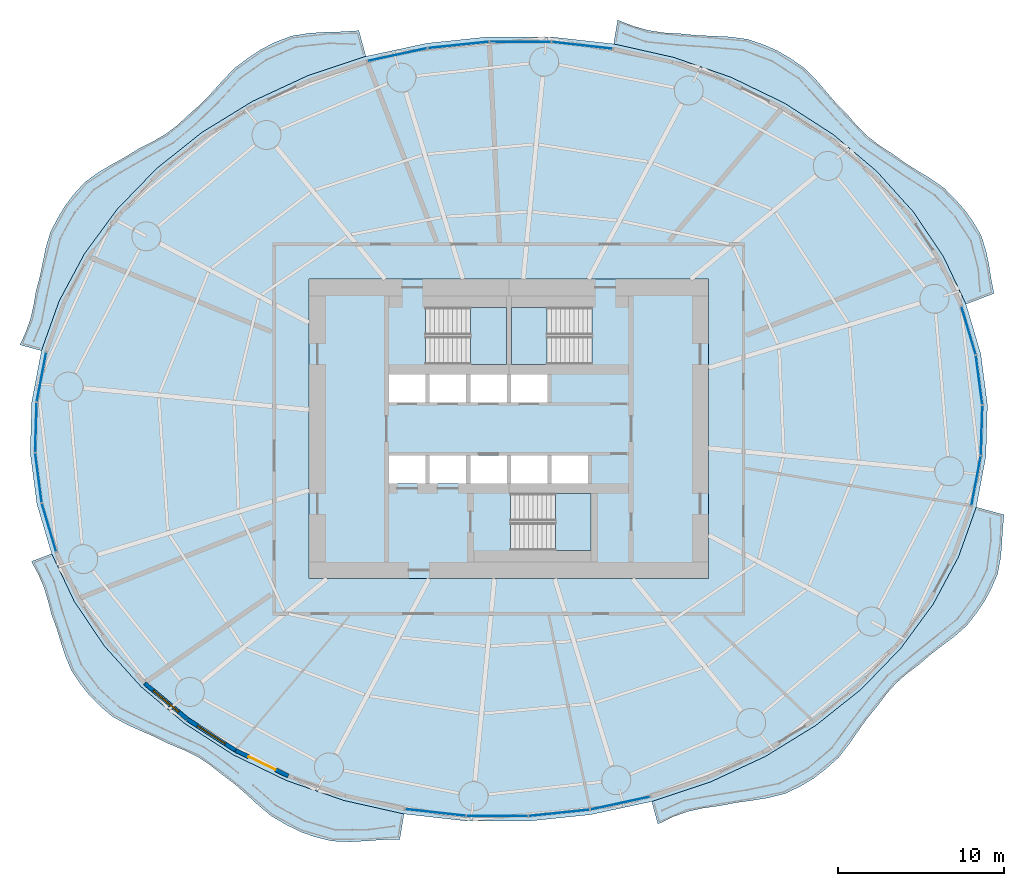
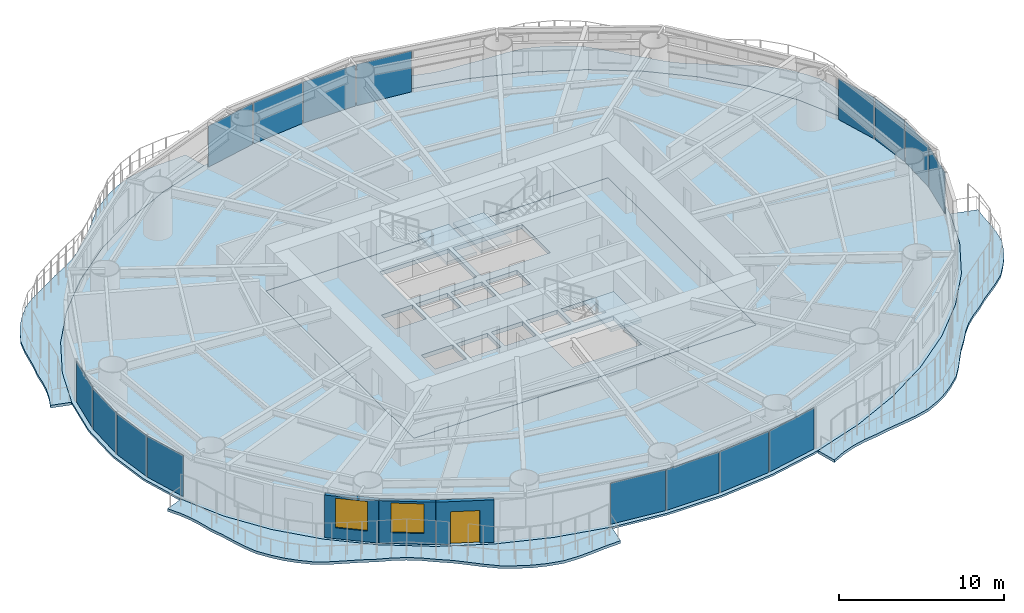
# One storey, part 7 of 16: 16 plates, 9 slabs, 3 walls, 2 windows, 1 door, 3 openings, 19 elements without a shape of their own.
"""IFC4 building model written with IfcOpenShell, lengths in metres."""

import ifcopenshell
import ifcopenshell.guid

model = None  # the IFC model being written
_history = None  # IfcOwnerHistory: only IFC2X3 demands one
_inside = {}  # id of a spatial element -> (the spatial element, [elements in it])
_under = {}  # id of a project, library or spatial element -> (it, [spatial elements below it])
_declared = {}  # id of a project -> (the project, [libraries it declares])
_typed = {}  # id of a type object -> (the type object, [elements of that type])
_made_of = {}  # id of a material, layer set ... -> (it, [elements and type objects made of it])


def new_model(schema):
    """Start an empty IFC model of exactly this schema.

    Asked for "IFC4X3", IfcOpenShell would pick the latest addendum, in which some entities
    have other attributes; the version numbers below select the first issue.
    IFC2X3 requires an IfcOwnerHistory on every rooted entity: one is made here for all.
    """
    global model, _history
    if schema == "IFC4X3":
        model = ifcopenshell.file(schema_version=(4, 3, 0, 0))
    else:
        model = ifcopenshell.file(schema=schema)
    _inside.clear()
    _under.clear()
    _declared.clear()
    _typed.clear()
    _made_of.clear()
    _history = None
    if model.schema == "IFC2X3":
        org = make("IfcOrganization", Name="unknown")
        user = make(
            "IfcPersonAndOrganization",
            ThePerson=make("IfcPerson", FamilyName="unknown"),
            TheOrganization=org,
        )
        app = make(
            "IfcApplication",
            ApplicationDeveloper=org,
            Version="unknown",
            ApplicationFullName="unknown",
            ApplicationIdentifier="unknown",
        )
        _history = make(
            "IfcOwnerHistory",
            OwningUser=user,
            OwningApplication=app,
            ChangeAction="ADDED",
            CreationDate=0,
        )
    return model


def make(cls, **values):
    """One entity of the class cls with the attributes given. An attribute that is None is left unset."""
    return model.create_entity(
        cls, **{name: value for name, value in values.items() if value is not None}
    )


def rooted(cls, **values):
    """An entity with a GlobalId (a new one), such as an element, a storey or a relation."""
    return make(cls, GlobalId=ifcopenshell.guid.new(), OwnerHistory=_history, **values)


def si_unit(unit_type, name, prefix=None):
    """IfcSIUnit, for example si_unit("LENGTHUNIT", "METRE", prefix="MILLI")."""
    return make("IfcSIUnit", UnitType=unit_type, Prefix=prefix, Name=name)


def assignment(units):
    """IfcUnitAssignment: the units of a project."""
    return None if units is None else make("IfcUnitAssignment", Units=units)


def point(xyz):
    """IfcCartesianPoint."""
    return None if xyz is None else make("IfcCartesianPoint", Coordinates=xyz)


def direction(xyz):
    """IfcDirection."""
    return None if xyz is None else make("IfcDirection", DirectionRatios=xyz)


def frame(location, z_axis=None, x_axis=None):
    """IfcAxis2Placement3D, a coordinate frame: its origin and axes. An axis left out is left unset."""
    return make(
        "IfcAxis2Placement3D",
        Location=point(location),
        Axis=direction(z_axis),
        RefDirection=direction(x_axis),
    )


def frame_2d(location, x_axis=None):
    """IfcAxis2Placement2D, a coordinate frame in the plane: its origin and x axis."""
    return make(
        "IfcAxis2Placement2D", Location=point(location), RefDirection=direction(x_axis)
    )


def origin():
    """The frame at (0, 0, 0) with its axes left unset."""
    return frame((0.0, 0.0, 0.0))


def origin_2d():
    """The frame at (0, 0) in the plane with its x axis left unset."""
    return frame_2d((0.0, 0.0))


def place(relative_to, where):
    """IfcLocalPlacement: puts the frame where relative to a parent placement (None: the world)."""
    return make(
        "IfcLocalPlacement", PlacementRelTo=relative_to, RelativePlacement=where
    )


def context(
    kind, dimensions, precision=None, world=None, true_north=None, identifier=None
):
    """IfcGeometricRepresentationContext, for example the 3D "Model" context."""
    return make(
        "IfcGeometricRepresentationContext",
        ContextIdentifier=identifier,
        ContextType=kind,
        CoordinateSpaceDimension=dimensions,
        Precision=precision,
        WorldCoordinateSystem=world,
        TrueNorth=true_north,
    )


def subcontext(parent, identifier, kind, view, scale=None):
    """IfcGeometricRepresentationSubContext, for example "Body" below "Model"."""
    return make(
        "IfcGeometricRepresentationSubContext",
        ContextIdentifier=identifier,
        ContextType=kind,
        ParentContext=parent,
        TargetScale=scale,
        TargetView=view,
    )


def project(units=None, contexts=None):
    """IfcProject with its units and contexts."""
    return rooted(
        "IfcProject",
        Name="project",
        RepresentationContexts=contexts,
        UnitsInContext=assignment(units),
    )


def spatial(cls, under=None, at=None, **own):
    """A site, building, storey or space (cls), placed at a placement, below another one or the project."""
    s = rooted(cls, ObjectPlacement=at, **own)
    if under is not None:
        _under.setdefault(under.id(), (under, []))[1].append(s)
    return s


def polyline(points):
    """IfcPolyline through the points."""
    return make("IfcPolyline", Points=[point(p) for p in points])


def profile(cls, at=None, kind="AREA", **sizes):
    """A parametric profile (cls). Its sizes go by their IFC names, for example OverallWidth=200.0."""
    return make(cls, ProfileType=kind, Position=at, **sizes)


def rectangle(**sizes):
    """IfcRectangleProfileDef."""
    return profile("IfcRectangleProfileDef", **sizes)


def outline(outer, holes=None, kind="AREA"):
    """IfcArbitraryClosedProfileDef: a profile drawn as a closed curve; with holes, ...WithVoids."""
    if holes is None:
        return make("IfcArbitraryClosedProfileDef", ProfileType=kind, OuterCurve=outer)
    return make(
        "IfcArbitraryProfileDefWithVoids",
        ProfileType=kind,
        OuterCurve=outer,
        InnerCurves=holes,
    )


def extrude(swept, where, along, depth):
    """IfcExtrudedAreaSolid: the profile swept, set in the frame where, extruded along a direction by depth."""
    return make(
        "IfcExtrudedAreaSolid",
        SweptArea=swept,
        Position=where,
        ExtrudedDirection=direction(along),
        Depth=depth,
    )


def shape(context_of_items, identifier, shape_type, items):
    """IfcShapeRepresentation: the items that make up one representation, for example the "Body"."""
    return make(
        "IfcShapeRepresentation",
        ContextOfItems=context_of_items,
        RepresentationIdentifier=identifier,
        RepresentationType=shape_type,
        Items=items,
    )


def material(Name=None, Category=None):
    """IfcMaterial."""
    return make("IfcMaterial", Name=Name, Category=Category)


def layer(
    of_material, thickness, ventilated=None, Name=None, Category=None, Priority=None
):
    """IfcMaterialLayer: one layer of a wall or slab, of a material (None: an air gap)."""
    return make(
        "IfcMaterialLayer",
        Material=of_material,
        LayerThickness=thickness,
        IsVentilated=ventilated,
        Name=Name,
        Category=Category,
        Priority=Priority,
    )


def layer_set(layers, Name=None):
    """IfcMaterialLayerSet."""
    return make("IfcMaterialLayerSet", MaterialLayers=layers, LayerSetName=Name)


def made_of(thing, what):
    """Note that an element or type object is made of a material, layer set ...; save() writes the relation."""
    if what is not None:
        _made_of.setdefault(what.id(), (what, []))[1].append(thing)
    return thing


def type_object(cls, material=None, **own):
    """A type object (cls), such as IfcWallType, which elements share."""
    return made_of(rooted(cls, **own), material)


def element(
    cls,
    number,
    at=None,
    inside=None,
    cuts=None,
    type_object=None,
    material=None,
    context=None,
    identifier="Body",
    shape_type=None,
    held_by="IfcProductDefinitionShape",
    body=None,
    shapes=None,
    **own,
):
    """One element of the class cls, such as IfcWall. Its Tag is "e" and its number.

    at: its placement. inside: the storey or other place that contains it. cuts: it is an
    opening in that element (IfcRelVoidsElement). A single representation is given by context,
    identifier, shape_type and body (its items); several are given by shapes. held_by: the class
    of the entity that holds the representations. save() writes the other relations.
    """
    e = rooted(cls, Tag="e%d" % number, ObjectPlacement=at, **own)
    if body is not None:
        shapes = [shape(context, identifier, shape_type, body)]
    if shapes is not None:
        e.Representation = make(held_by, Representations=shapes)
    if inside is not None:
        _inside.setdefault(inside.id(), (inside, []))[1].append(e)
    if cuts is not None:
        rooted(
            "IfcRelVoidsElement", RelatingBuildingElement=cuts, RelatedOpeningElement=e
        )
    if type_object is not None:
        _typed.setdefault(type_object.id(), (type_object, []))[1].append(e)
    return made_of(e, material)


def fill(opening, filler):
    """IfcRelFillsElement: the door or window that sits in an opening."""
    return rooted(
        "IfcRelFillsElement",
        RelatingOpeningElement=opening,
        RelatedBuildingElement=filler,
    )


def aggregate(whole, parts):
    """IfcRelAggregates: a whole, such as a stair, and the parts it consists of."""
    return rooted("IfcRelAggregates", RelatingObject=whole, RelatedObjects=parts)


def save(model, path):
    """Write the relations noted so far, then the file.

    IfcRelAggregates (storeys below a building ...), IfcRelContainedInSpatialStructure (elements
    in a storey), IfcRelDefinesByType, IfcRelAssociatesMaterial and IfcRelDeclares: one each for
    every whole, place, type object, material and project.
    """
    for whole, parts in _under.values():
        aggregate(whole, parts)
    for where, things in _inside.values():
        rooted(
            "IfcRelContainedInSpatialStructure",
            RelatedElements=things,
            RelatingStructure=where,
        )
    for kind, things in _typed.values():
        rooted("IfcRelDefinesByType", RelatedObjects=things, RelatingType=kind)
    for what, things in _made_of.values():
        rooted("IfcRelAssociatesMaterial", RelatedObjects=things, RelatingMaterial=what)
    for by, libraries in _declared.values():
        rooted("IfcRelDeclares", RelatingContext=by, RelatedDefinitions=libraries)
    model.write(path)


model = new_model("IFC4")

# Units and contexts
model_context = context("Model", 3, precision=1e-05, world=origin(), true_north=direction((0.0, 1.0)))
body_context = subcontext(model_context, "Body", "Model", "MODEL_VIEW")
ifc_project = project(units=[si_unit("LENGTHUNIT", "METRE"), si_unit("AREAUNIT", "SQUARE_METRE"), si_unit("VOLUMEUNIT", "CUBIC_METRE"), si_unit("PLANEANGLEUNIT", "RADIAN"), si_unit("MASSUNIT", "GRAM", prefix="KILO")], contexts=[model_context])

# Site, building, storey
site_placement = place(None, origin())
site = spatial("IfcSite", under=ifc_project, at=site_placement, CompositionType="ELEMENT")
building_placement = place(site_placement, origin())
building = spatial("IfcBuilding", under=site, at=building_placement, Name="Vermilion Reach Broadcast Tower", CompositionType="ELEMENT")
storey_placement = place(building_placement, frame((0.0, 0.0, 47.10009765625)))
storey = spatial("IfcBuildingStorey", under=building, at=storey_placement, Name="L08", CompositionType="ELEMENT", Elevation=47.10009765625)

# Slabs
ifc_material_1 = material(Name="Concrete C40/50", Category="concrete")
ifc_layer_1 = layer(ifc_material_1, 0.199951171875)
ifc_layer_set_1 = layer_set([ifc_layer_1], Name="Balcony slab 200")
slab_type_1 = type_object("IfcSlabType", Name="Balcony slab 200", PredefinedType="FLOOR", material=ifc_layer_set_1)
placement_1 = place(storey_placement, frame((0.0, 0.0, -0.2001953125)))
element("IfcSlab", 1, at=placement_1, inside=storey, type_object=slab_type_1, Name="Balcony slab L08 group 1", PredefinedType="FLOOR", context=body_context, shape_type="SweptSolid", body=[
    extrude(outline(polyline([(21.4716796875, 7.496826171875), (20.11572265625, 10.35498046875), (18.312744140625, 13.035888671875), (16.093994140625, 15.493896484375), (13.4970703125, 17.686767578125), (10.56640625, 19.576904296875), (7.3525390625, 21.132080078125), (3.91015625, 22.32568359375), (0.298095703125, 23.137451171875), (0.538818359375, 24.572998046875), (1.486083984375, 24.202392578125), (2.378173828125, 23.951416015625), (3.295166015625, 23.810302734375), (4.31591796875, 23.750732421875), (5.3330078125, 23.649169921875), (6.283203125, 23.609130859375), (7.2314453125, 23.5634765625), (8.301025390625, 23.4248046875), (9.2939453125, 23.094970703125), (10.11328125, 22.73876953125), (10.886962890625, 22.288330078125), (11.752685546875, 21.688720703125), (12.486572265625, 20.9453125), (13.07763671875, 20.253173828125), (13.670166015625, 19.563720703125), (14.36279296875, 18.85693359375), (14.989990234375, 18.137939453125), (15.602294921875, 17.545654296875), (16.275634765625, 17.026123046875), (17.08056640625, 16.513671875), (17.84375, 15.958251953125), (18.5751953125, 15.503173828125), (19.31640625, 15.05712890625), (20.15478515625, 14.474853515625), (20.846923828125, 13.7666015625), (21.38916015625, 13.157958984375), (21.86279296875, 12.503173828125), (22.373291015625, 11.64013671875), (22.674560546875, 10.693603515625), (22.839111328125, 9.896484375), (22.97021484375, 9.083251953125), (23.152099609375, 8.14013671875), (21.4716796875, 7.496826171875)])), origin(), (0.0, 0.0, 1.0), 0.2001953125),
])
element("IfcSlab", 2, at=placement_1, inside=storey, type_object=slab_type_1, Name="Balcony slab L08 group 2", PredefinedType="FLOOR", context=body_context, shape_type="SweptSolid", body=[
    extrude(outline(polyline([(-14.58837890625, 22.388427734375), (-18.1005859375, 21.218505859375), (-21.406005859375, 19.685302734375), (-24.447509765625, 17.8154296875), (-27.173583984375, 15.640625), (-29.537353515625, 13.1982421875), (-31.498291015625, 10.530029296875), (-33.02294921875, 7.681640625), (-34.08544921875, 4.701904296875), (-35.373779296875, 5.0517578125), (-35.003662109375, 5.868896484375), (-34.745361328125, 6.616455078125), (-34.56298828125, 7.39111328125), (-34.4091796875, 8.295654296875), (-34.16455078125, 9.208740234375), (-33.997314453125, 10.035400390625), (-33.828125, 10.861083984375), (-33.549072265625, 11.8232421875), (-33.08056640625, 12.72021484375), (-32.6494140625, 13.4306640625), (-32.14599609375, 14.088134765625), (-31.470458984375, 14.831298828125), (-30.628662109375, 15.43701171875), (-29.867431640625, 15.8828125), (-29.09130859375, 16.31396484375), (-28.25341796875, 16.8291015625), (-27.3662109375, 17.280029296875), (-26.6083984375, 17.72802734375), (-25.910400390625, 18.2509765625), (-25.211181640625, 18.902587890625), (-24.46923828125, 19.554931640625), (-23.832275390625, 20.22314453125), (-23.21240234375, 20.91943359375), (-22.4765625, 21.67919921875), (-21.622314453125, 22.316650390625), (-20.853515625, 22.823974609375), (-20.041259765625, 23.237060546875), (-19.05126953125, 23.61279296875), (-17.979736328125, 23.783935546875), (-17.0234375, 23.84130859375), (-16.056884765625, 23.868408203125), (-15.01123046875, 23.935791015625), (-14.58837890625, 22.388427734375)])), origin(), (0.0, 0.0, 1.0), 0.2001953125),
])
element("IfcSlab", 3, at=placement_1, inside=storey, type_object=slab_type_1, Name="Balcony slab L08 group 3", PredefinedType="FLOOR", context=body_context, shape_type="SweptSolid", body=[
    extrude(outline(polyline([(-33.4716796875, -7.496826171875), (-32.11572265625, -10.35498046875), (-30.312744140625, -13.035888671875), (-28.093994140625, -15.493896484375), (-25.4970703125, -17.686767578125), (-22.56640625, -19.576904296875), (-19.3525390625, -21.132080078125), (-15.91015625, -22.32568359375), (-12.298095703125, -23.137451171875), (-12.55322265625, -24.6591796875), (-13.594970703125, -24.6875), (-14.5595703125, -24.758544921875), (-15.51953125, -24.8095703125), (-16.60546875, -24.768310546875), (-17.635009765625, -24.52001953125), (-18.494140625, -24.217529296875), (-19.318359375, -23.814208984375), (-20.24169921875, -23.28173828125), (-21.057373046875, -22.606201171875), (-21.742919921875, -21.9736328125), (-22.438232421875, -21.361328125), (-23.23486328125, -20.7666015625), (-23.983642578125, -20.165771484375), (-24.7158203125, -19.6923828125), (-25.501220703125, -19.3017578125), (-26.415771484375, -18.928466796875), (-27.29150390625, -18.494873046875), (-28.10693359375, -18.143310546875), (-28.9150390625, -17.783203125), (-29.822509765625, -17.28076171875), (-30.584228515625, -16.626708984375), (-31.17041015625, -16.04052734375), (-31.689453125, -15.393798828125), (-32.263916015625, -14.560302734375), (-32.652099609375, -13.6357421875), (-32.90869140625, -12.8349609375), (-33.156005859375, -12.02783203125), (-33.484375, -11.134033203125), (-33.714111328125, -10.23779296875), (-33.95263671875, -9.475830078125), (-34.262451171875, -8.747314453125), (-34.68994140625, -7.96337890625), (-33.4716796875, -7.496826171875)])), origin(), (0.0, 0.0, 1.0), 0.2001953125),
])
element("IfcSlab", 4, at=placement_1, inside=storey, type_object=slab_type_1, Name="Balcony slab L08 group 4", PredefinedType="FLOOR", context=body_context, shape_type="SweptSolid", body=[
    extrude(outline(polyline([(2.58837890625, -22.388427734375), (6.1005859375, -21.218505859375), (9.406005859375, -19.685302734375), (12.447509765625, -17.8154296875), (15.173583984375, -15.640625), (17.537353515625, -13.1982421875), (19.498291015625, -10.530029296875), (21.02294921875, -7.681640625), (22.08544921875, -4.701904296875), (23.75439453125, -5.155029296875), (23.66748046875, -6.10546875), (23.624267578125, -6.9296875), (23.553466796875, -7.744140625), (23.3681640625, -8.720458984375), (22.9697265625, -9.639892578125), (22.58642578125, -10.350830078125), (22.12841796875, -11.021728515625), (21.525146484375, -11.80810546875), (20.756103515625, -12.481689453125), (20.065185546875, -13.00146484375), (19.377197265625, -13.523193359375), (18.6591796875, -14.14599609375), (17.8916015625, -14.723388671875), (17.254638671875, -15.289794921875), (16.686279296875, -15.921875), (16.1201171875, -16.68212890625), (15.493896484375, -17.43994140625), (14.96875, -18.179931640625), (14.4521484375, -18.93017578125), (13.80712890625, -19.751220703125), (13.020263671875, -20.451416015625), (12.309814453125, -20.999755859375), (11.544921875, -21.460205078125), (10.600830078125, -21.910888671875), (9.55615234375, -22.174072265625), (8.62109375, -22.322509765625), (7.678466796875, -22.455322265625), (6.668212890625, -22.647705078125), (5.6484375, -22.7890625), (4.741455078125, -22.994873046875), (3.869873046875, -23.306884765625), (2.959228515625, -23.745849609375), (2.58837890625, -22.388427734375)])), origin(), (0.0, 0.0, 1.0), 0.2001953125),
])
ifc_material_2 = material(Name="Concrete C40", Category="concrete")
ifc_layer_2 = layer(ifc_material_2, 0.300048828125)
ifc_layer_set_2 = layer_set([ifc_layer_2], Name="Core floor slab 300 mm Concrete C40")
slab_type_2 = type_object("IfcSlabType", Name="Core floor slab 300 mm Concrete C40", PredefinedType="FLOOR", material=ifc_layer_set_2)
slab_5_placement = place(storey_placement, frame((0.0, 0.0, -0.300048828125)))
element("IfcSlab", 5, at=slab_5_placement, inside=storey, type_object=slab_type_2, Name="L08 core floor", PredefinedType="FLOOR", context=body_context, shape_type="SweptSolid", body=[
    extrude(outline(polyline([(-18.0, -9.0), (6.0, -9.0), (6.0, 9.0), (-18.0, 9.0), (-18.0, -9.0)]), holes=[polyline([(-13.199951171875, 1.60009765625), (-11.00830078125, 1.60009765625), (-11.00830078125, 3.280029296875), (-13.199951171875, 3.280029296875), (-13.199951171875, 1.60009765625)]), polyline([(-10.75830078125, 1.60009765625), (-8.566650390625, 1.60009765625), (-8.566650390625, 3.280029296875), (-10.75830078125, 3.280029296875), (-10.75830078125, 1.60009765625)]), polyline([(-8.316650390625, 1.60009765625), (-6.125, 1.60009765625), (-6.125, 3.280029296875), (-8.316650390625, 3.280029296875), (-8.316650390625, 1.60009765625)]), polyline([(-5.875, 1.60009765625), (-3.683349609375, 1.60009765625), (-3.683349609375, 3.280029296875), (-5.875, 3.280029296875), (-5.875, 1.60009765625)]), polyline([(-13.199951171875, -3.280029296875), (-11.00830078125, -3.280029296875), (-11.00830078125, -1.60009765625), (-13.199951171875, -1.60009765625), (-13.199951171875, -3.280029296875)]), polyline([(-10.75830078125, -3.280029296875), (-8.566650390625, -3.280029296875), (-8.566650390625, -1.60009765625), (-10.75830078125, -1.60009765625), (-10.75830078125, -3.280029296875)]), polyline([(-8.316650390625, -3.280029296875), (-6.125, -3.280029296875), (-6.125, -1.60009765625), (-8.316650390625, -1.60009765625), (-8.316650390625, -3.280029296875)]), polyline([(-5.875, -3.280029296875), (-3.683349609375, -3.280029296875), (-3.683349609375, -1.60009765625), (-5.875, -1.60009765625), (-5.875, -3.280029296875)]), polyline([(-3.433349609375, -3.280029296875), (-1.24169921875, -3.280029296875), (-1.24169921875, -1.60009765625), (-3.433349609375, -1.60009765625), (-3.433349609375, -3.280029296875)]), polyline([(-10.999267578125, 3.8798828125), (-6.14990234375, 3.8798828125), (-6.14990234375, 7.300048828125), (-10.999267578125, 7.300048828125), (-10.999267578125, 3.8798828125)]), polyline([(-1.000732421875, 7.300048828125), (-5.85009765625, 7.300048828125), (-5.85009765625, 3.8798828125), (-1.000732421875, 3.8798828125), (-1.000732421875, 7.300048828125)]), polyline([(-5.8994140625, -7.300048828125), (-1.050048828125, -7.300048828125), (-1.050048828125, -3.8798828125), (-5.8994140625, -3.8798828125), (-5.8994140625, -7.300048828125)])]), origin(), (0.0, 0.0, 1.0), 0.300048828125),
])

# Stair, slab
ifc_material_3 = material(Name="Concrete C40", Category="concrete")
stair_type = type_object("IfcStairType", Name="Exit stair RC 22 risers 168 mm", PredefinedType="HALF_TURN_STAIR", material=ifc_material_3)
placement_2 = place(storey_placement, origin())
stair_1 = element("IfcStair", 6, at=placement_2, inside=storey, type_object=stair_type, Name="L08 Exit stair ST1", PredefinedType="HALF_TURN_STAIR")
ifc_material_4 = material(Name="Concrete C40", Category="concrete")
ifc_layer_3 = layer(ifc_material_4, 0.199951171875)
ifc_layer_set_3 = layer_set([ifc_layer_3], Name="Exit stair landing Concrete C40")
slab_type_3 = type_object("IfcSlabType", Name="Exit stair landing Concrete C40", PredefinedType="LANDING", material=ifc_layer_set_3)
placement_3 = place(storey_placement, frame((0.0, 0.0, 1.64990234375)))
slab_6 = element("IfcSlab", 7, at=placement_3, type_object=slab_type_3, Name="ST1 landing 1", PredefinedType="LANDING", context=body_context, shape_type="SweptSolid", body=[
    extrude(outline(polyline([(-8.300048828125, 3.8798828125), (-6.14990234375, 3.8798828125), (-6.14990234375, 7.300048828125), (-8.300048828125, 7.300048828125), (-8.300048828125, 3.8798828125)])), origin(), (0.0, 0.0, 1.0), 0.199951171875),
])
aggregate(stair_1, [slab_6])

stair_2 = element("IfcStair", 8, at=placement_2, inside=storey, type_object=stair_type, Name="L08 Exit stair ST2", PredefinedType="HALF_TURN_STAIR")
slab_7 = element("IfcSlab", 9, at=placement_3, type_object=slab_type_3, Name="ST2 landing 1", PredefinedType="LANDING", context=body_context, shape_type="SweptSolid", body=[
    extrude(outline(polyline([(-3.699951171875, 7.300048828125), (-5.85009765625, 7.300048828125), (-5.85009765625, 3.8798828125), (-3.699951171875, 3.8798828125), (-3.699951171875, 7.300048828125)])), origin(), (0.0, 0.0, 1.0), 0.199951171875),
])
aggregate(stair_2, [slab_7])

stair_3 = element("IfcStair", 10, at=placement_2, inside=storey, type_object=stair_type, Name="L08 Exit stair ST3", PredefinedType="HALF_TURN_STAIR")
slab_8 = element("IfcSlab", 11, at=placement_3, type_object=slab_type_3, Name="ST3 landing 1", PredefinedType="LANDING", context=body_context, shape_type="SweptSolid", body=[
    extrude(outline(polyline([(-3.199951171875, -7.300048828125), (-1.050048828125, -7.300048828125), (-1.050048828125, -3.8798828125), (-3.199951171875, -3.8798828125), (-3.199951171875, -7.300048828125)])), origin(), (0.0, 0.0, 1.0), 0.199951171875),
])
aggregate(stair_3, [slab_8])

# Slab
ifc_material_5 = material(Name="Concrete C40", Category="concrete")
ifc_layer_4 = layer(ifc_material_5, 0.14990234375)
ifc_layer_set_4 = layer_set([ifc_layer_4], Name="Floor slab Concrete C40 composite 150")
slab_type_4 = type_object("IfcSlabType", Name="Floor slab Concrete C40 composite 150", PredefinedType="FLOOR", material=ifc_layer_set_4)
slab_9_placement = place(storey_placement, frame((0.0, 0.0, -0.150146484375)))
element("IfcSlab", 12, at=slab_9_placement, inside=storey, type_object=slab_type_4, Name="Floor slab L08", PredefinedType="FLOOR", context=body_context, shape_type="SweptSolid", body=[
    extrude(outline(polyline([(22.758544921875, 1.44677734375), (22.357666015625, 4.51025390625), (21.4716796875, 7.496826171875), (20.11572265625, 10.35498046875), (18.312744140625, 13.035888671875), (16.093994140625, 15.493896484375), (13.4970703125, 17.686767578125), (10.56640625, 19.576904296875), (7.3525390625, 21.132080078125), (3.91015625, 22.32568359375), (0.298095703125, 23.137451171875), (-3.421630859375, 23.55322265625), (-7.185546875, 23.56591796875), (-10.92919921875, 23.175537109375), (-14.58837890625, 22.388427734375), (-18.1005859375, 21.218505859375), (-21.406005859375, 19.685302734375), (-24.447509765625, 17.8154296875), (-27.173583984375, 15.640625), (-29.537353515625, 13.1982421875), (-31.498291015625, 10.530029296875), (-33.02294921875, 7.681640625), (-34.08544921875, 4.701904296875), (-34.667236328125, 1.6416015625), (-34.758544921875, -1.44677734375), (-34.357666015625, -4.51025390625), (-33.4716796875, -7.496826171875), (-32.11572265625, -10.35498046875), (-30.312744140625, -13.035888671875), (-28.093994140625, -15.493896484375), (-25.4970703125, -17.686767578125), (-22.56640625, -19.576904296875), (-19.3525390625, -21.132080078125), (-15.91015625, -22.32568359375), (-12.298095703125, -23.137451171875), (-8.578369140625, -23.55322265625), (-4.814453125, -23.56591796875), (-1.07080078125, -23.175537109375), (2.58837890625, -22.388427734375), (6.1005859375, -21.218505859375), (9.406005859375, -19.685302734375), (12.447509765625, -17.8154296875), (15.173583984375, -15.640625), (17.537353515625, -13.1982421875), (19.498291015625, -10.530029296875), (21.02294921875, -7.681640625), (22.08544921875, -4.701904296875), (22.667236328125, -1.6416015625), (22.758544921875, 1.44677734375)]), holes=[polyline([(-18.0, -9.0), (6.0, -9.0), (6.0, 9.0), (-18.0, 9.0), (-18.0, -9.0)])]), origin(), (0.0, 0.0, 1.0), 0.150146484375),
])

# Curtain wall, plate
ifc_material_6 = material(Name="Low-e laminated clear glass in aluminium frame", Category="aluminium")
curtain_wall_type = type_object("IfcCurtainWallType", Name="Slot curtain wall", PredefinedType="NOTDEFINED", material=ifc_material_6)
curtain_wall_1 = element("IfcCurtainWall", 13, at=placement_2, inside=storey, type_object=curtain_wall_type, Name="Slot curtain wall L08 46", PredefinedType="NOTDEFINED")
ifc_material_7 = material(Name="Low-e laminated clear glass", Category="glass")
ifc_layer_5 = layer(ifc_material_7, 0.028076171875)
ifc_layer_set_5 = layer_set([ifc_layer_5], Name="Slot glass panel")
plate_type = type_object("IfcPlateType", Name="Slot glass panel", PredefinedType="CURTAIN_PANEL", material=ifc_layer_set_5)
plate_1_placement = place(storey_placement, frame((22.08251953125, -3.115966796875, 0.0), z_axis=(0.0, 0.0, 1.0), x_axis=(0.186772996108, 0.982403098491, 0.0)))
plate_1 = element("IfcPlate", 14, at=plate_1_placement, type_object=plate_type, Name="Slot glass panel L08 46", PredefinedType="CURTAIN_PANEL", context=body_context, shape_type="SweptSolid", body=[
    extrude(rectangle(XDim=2.988037109375, YDim=0.028076171875, at=origin_2d()), origin(), (0.0, 0.0, 1.0), 3.050048828125),
])
aggregate(curtain_wall_1, [plate_1])

curtain_wall_2 = element("IfcCurtainWall", 15, at=placement_2, inside=storey, type_object=curtain_wall_type, Name="Slot curtain wall L08 47", PredefinedType="NOTDEFINED")
plate_2_placement = place(storey_placement, frame((22.413818359375, -0.088623046875, 0.0), z_axis=(0.0, 0.0, 1.0), x_axis=(0.029548061938, 0.999563360691, 0.0)))
plate_2 = element("IfcPlate", 16, at=plate_2_placement, type_object=plate_type, Name="Slot glass panel L08 47", PredefinedType="CURTAIN_PANEL", context=body_context, shape_type="SweptSolid", body=[
    extrude(rectangle(XDim=2.9619140625, YDim=0.028076171875, at=origin_2d()), origin(), (0.0, 0.0, 1.0), 3.050048828125),
])
aggregate(curtain_wall_2, [plate_2])

curtain_wall_3 = element("IfcCurtainWall", 17, at=placement_2, inside=storey, type_object=curtain_wall_type, Name="Slot curtain wall L08 00", PredefinedType="NOTDEFINED")
plate_3_placement = place(storey_placement, frame((22.261474609375, 2.93994140625, 0.0), z_axis=(0.0, 0.0, 1.0), x_axis=(-0.129716686352, 0.991551098674, 0.0)))
plate_3 = element("IfcPlate", 18, at=plate_3_placement, type_object=plate_type, Name="Slot glass panel L08 00", PredefinedType="CURTAIN_PANEL", context=body_context, shape_type="SweptSolid", body=[
    extrude(rectangle(XDim=2.9619140625, YDim=0.028076171875, at=origin_2d()), origin(), (0.0, 0.0, 1.0), 3.050048828125),
])
aggregate(curtain_wall_3, [plate_3])

curtain_wall_4 = element("IfcCurtainWall", 19, at=placement_2, inside=storey, type_object=curtain_wall_type, Name="Slot curtain wall L08 01", PredefinedType="NOTDEFINED")
plate_4_placement = place(storey_placement, frame((21.6279296875, 5.918701171875, 0.0), z_axis=(0.0, 0.0, 1.0), x_axis=(-0.284425850063, 0.958698042043, 0.0)))
plate_4 = element("IfcPlate", 20, at=plate_4_placement, type_object=plate_type, Name="Slot glass panel L08 01", PredefinedType="CURTAIN_PANEL", context=body_context, shape_type="SweptSolid", body=[
    extrude(rectangle(XDim=2.988037109375, YDim=0.028076171875, at=origin_2d()), origin(), (0.0, 0.0, 1.0), 3.050048828125),
])
aggregate(curtain_wall_4, [plate_4])

curtain_wall_5 = element("IfcCurtainWall", 21, at=placement_2, inside=storey, type_object=curtain_wall_type, Name="Slot curtain wall L08 10", PredefinedType="NOTDEFINED")
plate_5_placement = place(storey_placement, frame((-1.59521484375, 23.047607421875, 0.0), z_axis=(0.0, 0.0, 1.0), x_axis=(-0.993811499694, 0.111079714965, 0.0)))
plate_5 = element("IfcPlate", 22, at=plate_5_placement, type_object=plate_type, Name="Slot glass panel L08 10", PredefinedType="CURTAIN_PANEL", context=body_context, shape_type="SweptSolid", body=[
    extrude(rectangle(XDim=3.63037109375, YDim=0.028076171875, at=origin_2d()), origin(), (0.0, 0.0, 1.0), 3.050048828125),
])
aggregate(curtain_wall_5, [plate_5])

curtain_wall_6 = element("IfcCurtainWall", 23, at=placement_2, inside=storey, type_object=curtain_wall_type, Name="Slot curtain wall L08 11", PredefinedType="NOTDEFINED")
plate_6_placement = place(storey_placement, frame((-5.3046875, 23.260009765625, 0.0), z_axis=(0.0, 0.0, 1.0), x_axis=(-0.999994248808, 0.003391511524, 0.0)))
plate_6 = element("IfcPlate", 24, at=plate_6_placement, type_object=plate_type, Name="Slot glass panel L08 11", PredefinedType="CURTAIN_PANEL", context=body_context, shape_type="SweptSolid", body=[
    extrude(rectangle(XDim=3.651611328125, YDim=0.028076171875, at=origin_2d()), origin(), (0.0, 0.0, 1.0), 3.050048828125),
])
aggregate(curtain_wall_6, [plate_6])

curtain_wall_7 = element("IfcCurtainWall", 25, at=placement_2, inside=storey, type_object=curtain_wall_type, Name="Slot curtain wall L08 12", PredefinedType="NOTDEFINED")
plate_7_placement = place(storey_placement, frame((-9.0263671875, 23.07275390625, 0.0), z_axis=(0.0, 0.0, 1.0), x_axis=(-0.994604909006, -0.103735601316, 0.0)))
plate_7 = element("IfcPlate", 26, at=plate_7_placement, type_object=plate_type, Name="Slot glass panel L08 12", PredefinedType="CURTAIN_PANEL", context=body_context, shape_type="SweptSolid", body=[
    extrude(rectangle(XDim=3.651611328125, YDim=0.028076171875, at=origin_2d()), origin(), (0.0, 0.0, 1.0), 3.050048828125),
])
aggregate(curtain_wall_7, [plate_7])

curtain_wall_8 = element("IfcCurtainWall", 27, at=placement_2, inside=storey, type_object=curtain_wall_type, Name="Slot curtain wall L08 13", PredefinedType="NOTDEFINED")
plate_8_placement = place(storey_placement, frame((-12.69580078125, 22.4892578125, 0.0), z_axis=(0.0, 0.0, 1.0), x_axis=(-0.977645680674, -0.210259180676, 0.0)))
plate_8 = element("IfcPlate", 28, at=plate_8_placement, type_object=plate_type, Name="Slot glass panel L08 13", PredefinedType="CURTAIN_PANEL", context=body_context, shape_type="SweptSolid", body=[
    extrude(rectangle(XDim=3.63037109375, YDim=0.028076171875, at=origin_2d()), origin(), (0.0, 0.0, 1.0), 3.050048828125),
])
aggregate(curtain_wall_8, [plate_8])

curtain_wall_9 = element("IfcCurtainWall", 29, at=placement_2, inside=storey, type_object=curtain_wall_type, Name="Slot curtain wall L08 22", PredefinedType="NOTDEFINED")
plate_9_placement = place(storey_placement, frame((-34.08251953125, 3.115966796875, 0.0), z_axis=(0.0, 0.0, 1.0), x_axis=(-0.186772996108, -0.982403098491, 0.0)))
plate_9 = element("IfcPlate", 30, at=plate_9_placement, type_object=plate_type, Name="Slot glass panel L08 22", PredefinedType="CURTAIN_PANEL", context=body_context, shape_type="SweptSolid", body=[
    extrude(rectangle(XDim=2.988037109375, YDim=0.028076171875, at=origin_2d()), origin(), (0.0, 0.0, 1.0), 3.050048828125),
])
aggregate(curtain_wall_9, [plate_9])

curtain_wall_10 = element("IfcCurtainWall", 31, at=placement_2, inside=storey, type_object=curtain_wall_type, Name="Slot curtain wall L08 23", PredefinedType="NOTDEFINED")
plate_10_placement = place(storey_placement, frame((-34.413818359375, 0.088623046875, 0.0), z_axis=(0.0, 0.0, 1.0), x_axis=(-0.029548061938, -0.999563360691, 0.0)))
plate_10 = element("IfcPlate", 32, at=plate_10_placement, type_object=plate_type, Name="Slot glass panel L08 23", PredefinedType="CURTAIN_PANEL", context=body_context, shape_type="SweptSolid", body=[
    extrude(rectangle(XDim=2.9619140625, YDim=0.028076171875, at=origin_2d()), origin(), (0.0, 0.0, 1.0), 3.050048828125),
])
aggregate(curtain_wall_10, [plate_10])

curtain_wall_11 = element("IfcCurtainWall", 33, at=placement_2, inside=storey, type_object=curtain_wall_type, Name="Slot curtain wall L08 24", PredefinedType="NOTDEFINED")
plate_11_placement = place(storey_placement, frame((-34.261474609375, -2.93994140625, 0.0), z_axis=(0.0, 0.0, 1.0), x_axis=(0.129716686352, -0.991551098674, 0.0)))
plate_11 = element("IfcPlate", 34, at=plate_11_placement, type_object=plate_type, Name="Slot glass panel L08 24", PredefinedType="CURTAIN_PANEL", context=body_context, shape_type="SweptSolid", body=[
    extrude(rectangle(XDim=2.9619140625, YDim=0.028076171875, at=origin_2d()), origin(), (0.0, 0.0, 1.0), 3.050048828125),
])
aggregate(curtain_wall_11, [plate_11])

curtain_wall_12 = element("IfcCurtainWall", 35, at=placement_2, inside=storey, type_object=curtain_wall_type, Name="Slot curtain wall L08 25", PredefinedType="NOTDEFINED")
plate_12_placement = place(storey_placement, frame((-33.6279296875, -5.918701171875, 0.0), z_axis=(0.0, 0.0, 1.0), x_axis=(0.284425850063, -0.958698042043, 0.0)))
plate_12 = element("IfcPlate", 36, at=plate_12_placement, type_object=plate_type, Name="Slot glass panel L08 25", PredefinedType="CURTAIN_PANEL", context=body_context, shape_type="SweptSolid", body=[
    extrude(rectangle(XDim=2.988037109375, YDim=0.028076171875, at=origin_2d()), origin(), (0.0, 0.0, 1.0), 3.050048828125),
])
aggregate(curtain_wall_12, [plate_12])

curtain_wall_13 = element("IfcCurtainWall", 37, at=placement_2, inside=storey, type_object=curtain_wall_type, Name="Slot curtain wall L08 34", PredefinedType="NOTDEFINED")
plate_13_placement = place(storey_placement, frame((-10.40478515625, -23.047607421875, 0.0), z_axis=(0.0, 0.0, 1.0), x_axis=(0.993811499694, -0.111079714965, 0.0)))
plate_13 = element("IfcPlate", 38, at=plate_13_placement, type_object=plate_type, Name="Slot glass panel L08 34", PredefinedType="CURTAIN_PANEL", context=body_context, shape_type="SweptSolid", body=[
    extrude(rectangle(XDim=3.63037109375, YDim=0.028076171875, at=origin_2d()), origin(), (0.0, 0.0, 1.0), 3.050048828125),
])
aggregate(curtain_wall_13, [plate_13])

curtain_wall_14 = element("IfcCurtainWall", 39, at=placement_2, inside=storey, type_object=curtain_wall_type, Name="Slot curtain wall L08 35", PredefinedType="NOTDEFINED")
plate_14_placement = place(storey_placement, frame((-6.6953125, -23.260009765625, 0.0), z_axis=(0.0, 0.0, 1.0), x_axis=(0.999994248808, -0.003391511524, 0.0)))
plate_14 = element("IfcPlate", 40, at=plate_14_placement, type_object=plate_type, Name="Slot glass panel L08 35", PredefinedType="CURTAIN_PANEL", context=body_context, shape_type="SweptSolid", body=[
    extrude(rectangle(XDim=3.651611328125, YDim=0.028076171875, at=origin_2d()), origin(), (0.0, 0.0, 1.0), 3.050048828125),
])
aggregate(curtain_wall_14, [plate_14])

curtain_wall_15 = element("IfcCurtainWall", 41, at=placement_2, inside=storey, type_object=curtain_wall_type, Name="Slot curtain wall L08 36", PredefinedType="NOTDEFINED")
plate_15_placement = place(storey_placement, frame((-2.9736328125, -23.07275390625, 0.0), z_axis=(0.0, 0.0, 1.0), x_axis=(0.994604909006, 0.103735601316, 0.0)))
plate_15 = element("IfcPlate", 42, at=plate_15_placement, type_object=plate_type, Name="Slot glass panel L08 36", PredefinedType="CURTAIN_PANEL", context=body_context, shape_type="SweptSolid", body=[
    extrude(rectangle(XDim=3.651611328125, YDim=0.028076171875, at=origin_2d()), origin(), (0.0, 0.0, 1.0), 3.050048828125),
])
aggregate(curtain_wall_15, [plate_15])

curtain_wall_16 = element("IfcCurtainWall", 43, at=placement_2, inside=storey, type_object=curtain_wall_type, Name="Slot curtain wall L08 37", PredefinedType="NOTDEFINED")
plate_16_placement = place(storey_placement, frame((0.69580078125, -22.4892578125, 0.0), z_axis=(0.0, 0.0, 1.0), x_axis=(0.977645680674, 0.210259180676, 0.0)))
plate_16 = element("IfcPlate", 44, at=plate_16_placement, type_object=plate_type, Name="Slot glass panel L08 37", PredefinedType="CURTAIN_PANEL", context=body_context, shape_type="SweptSolid", body=[
    extrude(rectangle(XDim=3.63037109375, YDim=0.028076171875, at=origin_2d()), origin(), (0.0, 0.0, 1.0), 3.050048828125),
])
aggregate(curtain_wall_16, [plate_16])

# Wall, opening, window
ifc_material_8 = material(Name="Terracotta rainscreen cladding", Category="masonry")
ifc_layer_6 = layer(ifc_material_8, 0.25)
ifc_layer_set_6 = layer_set([ifc_layer_6], Name="Terracotta rainscreen wall 250")
wall_type = type_object("IfcWallType", Name="Terracotta rainscreen wall 250", PredefinedType="SOLIDWALL", material=ifc_layer_set_6)
wall_1_placement = place(storey_placement, frame((-27.8759765625, -15.2861328125, 0.0), z_axis=(0.0, 0.0, 1.0), x_axis=(0.764082841582, -0.645118137398, 0.0)))
wall_1 = element("IfcWall", 45, at=wall_1_placement, inside=storey, type_object=wall_type, Name="External wall L08 29", PredefinedType="SOLIDWALL", context=body_context, shape_type="SweptSolid", body=[
    extrude(rectangle(XDim=3.3349609375, YDim=0.25, at=frame_2d((1.66748046875, 0.0))), origin(), (0.0, 0.0, 1.0), 3.14990234375),
])
opening_1_placement = place(wall_1_placement, frame((0.66748046875, 0.0, 0.800048828125)))
opening_1 = element("IfcOpeningElement", 46, at=opening_1_placement, cuts=wall_1, Name="Opening W01", PredefinedType="OPENING", context=body_context, shape_type="SweptSolid", body=[
    extrude(rectangle(XDim=2.0, YDim=2.199951171875, at=frame_2d((1.0, 1.10009765625))), frame((0.0, 0.135009765625, 0.0), z_axis=(0.0, -1.0, 0.0), x_axis=(1.0, 0.0, 0.0)), (0.0, 0.0, 1.0), 0.27001953125),
])
ifc_material_9 = material(Name="Low-e laminated clear glass in aluminium frame", Category="aluminium")
window_type = type_object("IfcWindowType", Name="Punched window 2000 x 2200 sill 800", PartitioningType="SINGLE_PANEL", PredefinedType="WINDOW", material=ifc_material_9)
window_1_placement = place(opening_1_placement, origin())
window_1 = element("IfcWindow", 47, at=window_1_placement, inside=storey, type_object=window_type, Name="Window L08 29", OverallHeight=2.199951171875, OverallWidth=2.0, PartitioningType="SINGLE_PANEL", PredefinedType="WINDOW", context=body_context, shape_type="SweptSolid", body=[
    extrude(rectangle(XDim=2.0, YDim=2.199951171875, at=frame_2d((1.0, 1.10009765625))), frame((0.0, 0.030029296875, 0.0), z_axis=(0.0, -1.0, 0.0), x_axis=(1.0, 0.0, 0.0)), (0.0, 0.0, 1.0), 0.06005859375),
])
fill(opening_1, window_1)

wall_2_placement = place(storey_placement, frame((-25.30859375, -17.451904296875, 0.0), z_axis=(0.0, 0.0, 1.0), x_axis=(0.840374130765, -0.54200675304, 0.0)))
wall_2 = element("IfcWall", 48, at=wall_2_placement, inside=storey, type_object=wall_type, Name="External wall L08 30", PredefinedType="SOLIDWALL", context=body_context, shape_type="SweptSolid", body=[
    extrude(rectangle(XDim=3.426025390625, YDim=0.25, at=frame_2d((1.712890625, 0.0))), origin(), (0.0, 0.0, 1.0), 3.14990234375),
])
opening_2_placement = place(wall_2_placement, frame((0.712890625, 0.0, 0.800048828125)))
opening_2 = element("IfcOpeningElement", 49, at=opening_2_placement, cuts=wall_2, Name="Opening W01", PredefinedType="OPENING", context=body_context, shape_type="SweptSolid", body=[
    extrude(rectangle(XDim=2.0, YDim=2.199951171875, at=frame_2d((1.0, 1.10009765625))), frame((0.0, 0.135009765625, 0.0), z_axis=(0.0, -1.0, 0.0), x_axis=(1.0, 0.0, 0.0)), (0.0, 0.0, 1.0), 0.27001953125),
])
window_2_placement = place(opening_2_placement, origin())
window_2 = element("IfcWindow", 50, at=window_2_placement, inside=storey, type_object=window_type, Name="Window L08 30", OverallHeight=2.199951171875, OverallWidth=2.0, PartitioningType="SINGLE_PANEL", PredefinedType="WINDOW", context=body_context, shape_type="SweptSolid", body=[
    extrude(rectangle(XDim=2.0, YDim=2.199951171875, at=frame_2d((1.0, 1.10009765625))), frame((0.0, 0.030029296875, 0.0), z_axis=(0.0, -1.0, 0.0), x_axis=(1.0, 0.0, 0.0)), (0.0, 0.0, 1.0), 0.06005859375),
])
fill(opening_2, window_2)

# Wall, opening, door
wall_3_placement = place(storey_placement, frame((-22.4091796875, -19.3203125, 0.0), z_axis=(0.0, 0.0, 1.0), x_axis=(0.900150457919, -0.435579100862, 0.0)))
wall_3 = element("IfcWall", 51, at=wall_3_placement, inside=storey, type_object=wall_type, Name="External wall L08 31", PredefinedType="SOLIDWALL", context=body_context, shape_type="SweptSolid", body=[
    extrude(rectangle(XDim=3.511474609375, YDim=0.25, at=frame_2d((1.755859375, 0.0))), origin(), (0.0, 0.0, 1.0), 3.14990234375),
])
opening_3_placement = place(wall_3_placement, frame((0.85595703125, 0.0, 0.0)))
opening_3 = element("IfcOpeningElement", 52, at=opening_3_placement, cuts=wall_3, Name="Opening D70", PredefinedType="OPENING", context=body_context, shape_type="SweptSolid", body=[
    extrude(rectangle(XDim=1.800048828125, YDim=2.39990234375, at=frame_2d((0.89990234375, 1.199951171875))), frame((0.0, 0.135009765625, 0.0), z_axis=(0.0, -1.0, 0.0), x_axis=(1.0, 0.0, 0.0)), (0.0, 0.0, 1.0), 0.27001953125),
])
ifc_material_10 = material(Name="Low-e laminated clear glass in aluminium frame", Category="aluminium")
door_type = type_object("IfcDoorType", Name="Balcony sliding door 1800 x 2400", OperationType="DOUBLE_DOOR_SLIDING", PredefinedType="DOOR", material=ifc_material_10)
door_placement = place(opening_3_placement, origin())
door = element("IfcDoor", 53, at=door_placement, inside=storey, type_object=door_type, Name="Balcony door L08 run 08", OperationType="DOUBLE_DOOR_SLIDING", OverallHeight=2.39990234375, OverallWidth=1.800048828125, PredefinedType="DOOR", context=body_context, shape_type="SweptSolid", body=[
    extrude(rectangle(XDim=1.800048828125, YDim=2.39990234375, at=frame_2d((0.89990234375, 1.199951171875))), frame((0.0, 0.02490234375, 0.0), z_axis=(0.0, -1.0, 0.0), x_axis=(1.0, 0.0, 0.0)), (0.0, 0.0, 1.0), 0.050048828125),
])
fill(opening_3, door)

save(model, "model.ifc")
